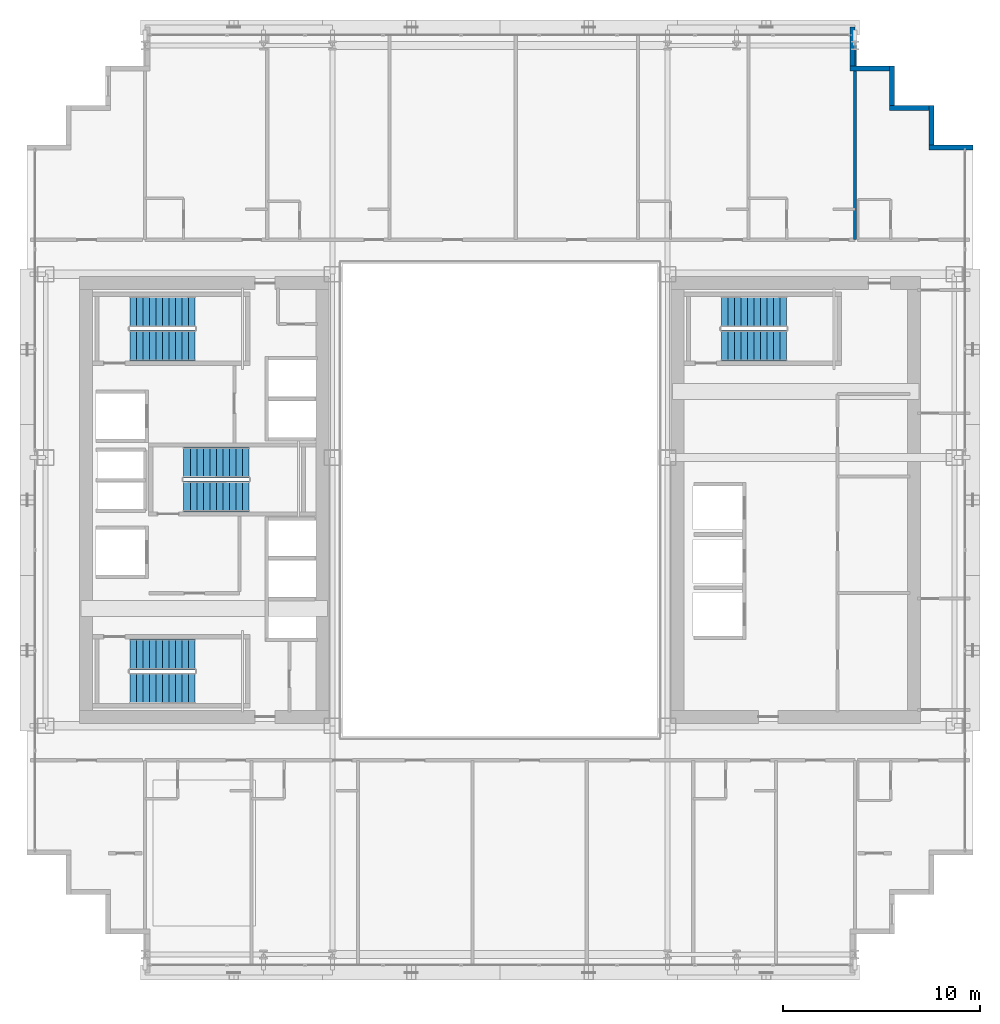
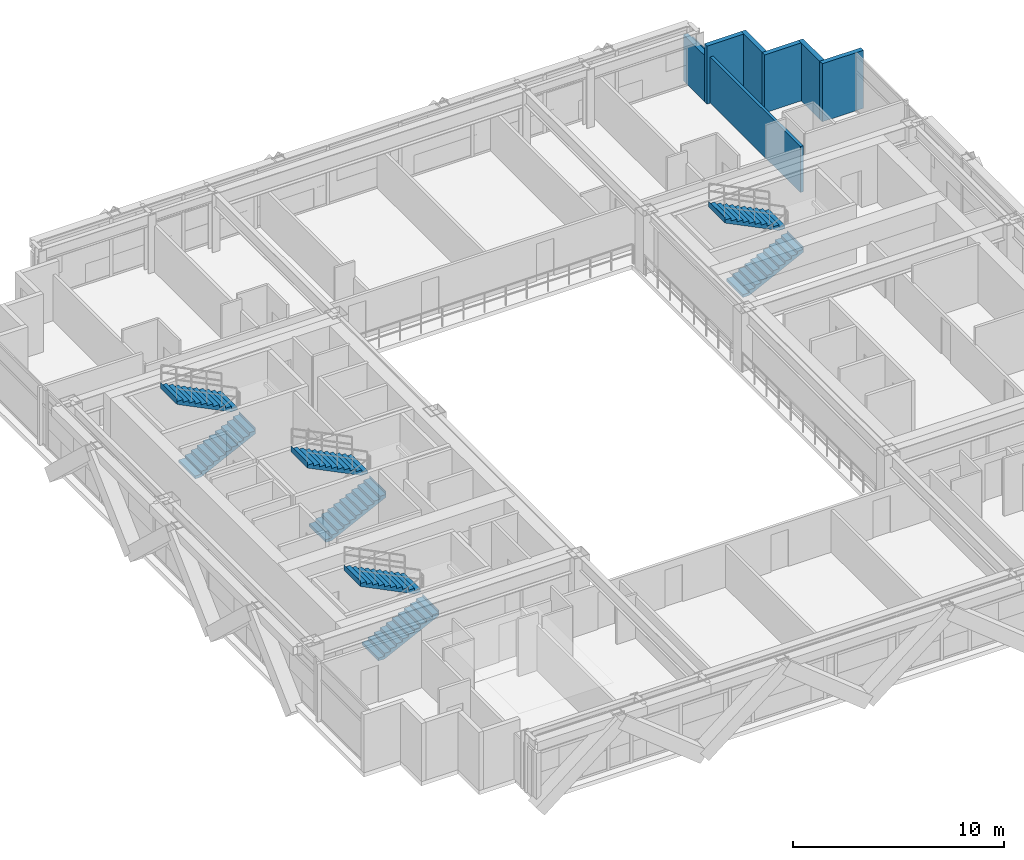
# One storey, part 31 of 35: 8 stair flights, 7 walls, 4 elements without a shape of their own.
"""IFC4 building model written with IfcOpenShell, lengths in metres."""

from ifc_helpers import new_model, si_unit, direction, frame, frame_2d, origin, place, context, subcontext, project, spatial, polyline, rectangle, outline, extrude, source, transform, mapped, material, layer, layer_set, type_object, element, aggregate, save


model = new_model("IFC4")

# Units and contexts
model_context = context("Model", 3, precision=1e-05, world=origin(), true_north=direction((0.0, 1.0)))
body_context = subcontext(model_context, "Body", "Model", "MODEL_VIEW")
ifc_project = project(units=[si_unit("LENGTHUNIT", "METRE"), si_unit("AREAUNIT", "SQUARE_METRE"), si_unit("VOLUMEUNIT", "CUBIC_METRE"), si_unit("PLANEANGLEUNIT", "RADIAN"), si_unit("MASSUNIT", "GRAM", prefix="KILO")], contexts=[model_context])

# Site, building, storey
site_placement = place(None, origin())
site = spatial("IfcSite", under=ifc_project, at=site_placement, CompositionType="ELEMENT")
building_placement = place(site_placement, origin())
building = spatial("IfcBuilding", under=site, at=building_placement, Name="Ocotamira Hotel", CompositionType="ELEMENT")
storey_placement = place(building_placement, frame((0.0, 0.0, 118.800048828125)))
storey = spatial("IfcBuildingStorey", under=building, at=storey_placement, Name="L29", CompositionType="ELEMENT", Elevation=118.800048828125)

# Walls
ifc_material_1 = material(Name="Precast concrete C45/55", Category="concrete")
ifc_layer_1 = layer(ifc_material_1, 0.25)
ifc_layer_set_1 = layer_set([ifc_layer_1], Name="Precast concrete C45/55")
wall_type_1 = type_object("IfcWallType", Name="WL-EXT-SER-250", PredefinedType="SOLIDWALL", material=ifc_layer_set_1)
wall_1_placement = place(storey_placement, frame((56.0, 43.875, 0.0), z_axis=(0.0, 0.0, 1.0), x_axis=(-1.0, 0.0, 0.0)))
element("IfcWall", 1, at=wall_1_placement, inside=storey, type_object=wall_type_1, Name="L29 Serrated Corner Wall 07", PredefinedType="SOLIDWALL", context=body_context, shape_type="SweptSolid", body=[
    extrude(rectangle(XDim=2.25, YDim=0.25, at=frame_2d((1.125, 0.0))), origin(), (0.0, 0.0, 1.0), 3.35986328125),
])
for number, where, z_axis, x_axis, name in (
    (2, (53.875, 44.0, 0.0), (0.0, 0.0, 1.0), (0.0, 1.0, 0.0), "L29 Serrated Corner Wall 08"),
    (3, (53.75, 45.875, 0.0), (0.0, 0.0, 1.0), (-1.0, 0.0, 0.0), "L29 Serrated Corner Wall 09"),
    (4, (51.875, 46.0, 0.0), (0.0, 0.0, 1.0), (0.0, 1.0, 0.0), "L29 Serrated Corner Wall 10"),
    (5, (51.75, 47.875, 0.0), (0.0, 0.0, 1.0), (-1.0, 0.0, 0.0), "L29 Serrated Corner Wall 11"),
):
    element("IfcWall", number, at=place(storey_placement, frame(where, z_axis=z_axis, x_axis=x_axis)), inside=storey, type_object=wall_type_1, Name=name, PredefinedType="SOLIDWALL", context=body_context, shape_type="SweptSolid", body=[
        extrude(rectangle(XDim=2.0, YDim=0.25, at=frame_2d((1.0, 0.0))), origin(), (0.0, 0.0, 1.0), 3.35986328125),
    ])
wall_2_placement = place(storey_placement, frame((49.875, 48.0, 0.0), z_axis=(0.0, 0.0, 1.0), x_axis=(0.0, 1.0, 0.0)))
element("IfcWall", 6, at=wall_2_placement, inside=storey, type_object=wall_type_1, Name="L29 Serrated Corner Wall 12", PredefinedType="SOLIDWALL", context=body_context, shape_type="SweptSolid", body=[
    extrude(rectangle(XDim=2.0, YDim=0.25, at=frame_2d((1.0, 0.0))), origin(), (0.0, 0.0, 1.0), 2.6669921875),
])
ifc_material_2 = material(Name="Acoustic double-stud hospitality gypsum partition", Category="gypsum")
ifc_layer_2 = layer(ifc_material_2, 0.159912109375)
ifc_layer_set_2 = layer_set([ifc_layer_2], Name="Acoustic double-stud hospitality gypsum partition")
wall_type_2 = type_object("IfcWallType", Name="WL-PART-160", PredefinedType="PARTITIONING", material=ifc_layer_set_2)
wall_3_placement = place(storey_placement, frame((50.0, 39.199951171875, 0.0), z_axis=(0.0, 0.0, 1.0), x_axis=(0.0, 1.0, 0.0)))
element("IfcWall", 7, at=wall_3_placement, inside=storey, type_object=wall_type_2, Name="L29 Interior Wall PW-L29-Z2CN-PWEND", PredefinedType="PARTITIONING", context=body_context, shape_type="SweptSolid", body=[
    extrude(rectangle(XDim=10.43994140625, YDim=0.159912109375, at=frame_2d((5.219970703125, 0.0))), origin(), (0.0, 0.0, 1.0), 2.6669921875),
])

# Stair, stair flights
ifc_material_3 = material(Name="Concrete C40/50", Category="concrete")
stair_type = type_object("IfcStairType", Name="ST-CORE-1560", PredefinedType="HALF_TURN_STAIR", material=ifc_material_3)
stair_1_placement = place(storey_placement, origin())
stair_1 = element("IfcStair", 8, at=stair_1_placement, inside=storey, type_object=stair_type, Name="L29 Exit Stair ST-1", PredefinedType="HALF_TURN_STAIR")
stair_flight_type = type_object("IfcStairFlightType", Name="STF-CORE-1560", PredefinedType="STRAIGHT", material=ifc_material_3)
shared_shape = source(origin(), body_context, "Body", "SweptSolid", [
    extrude(outline(polyline([(-0.00390625, 0.0), (-0.00390625, 0.16357421875), (0.330078125, 0.16357421875), (0.330078125, 0.327392578125), (0.659912109375, 0.327392578125), (0.659912109375, 0.490966796875), (0.989990234375, 0.490966796875), (0.989990234375, 0.654541015625), (1.320068359375, 0.654541015625), (1.320068359375, 0.818115234375), (1.64990234375, 0.818115234375), (1.64990234375, 0.98193359375), (1.97998046875, 0.98193359375), (1.97998046875, 1.1455078125), (2.31005859375, 1.1455078125), (2.31005859375, 1.30908203125), (2.639892578125, 1.30908203125), (2.639892578125, 1.47265625), (2.969970703125, 1.47265625), (2.969970703125, 1.636474609375), (3.300048828125, 1.636474609375), (3.300048828125, 1.800048828125), (3.303955078125, 1.800048828125), (3.303955078125, 1.468994140625), (0.33740234375, 0.0), (-0.00390625, 0.0)])), frame((0.0, 0.780029296875, 0.0), z_axis=(0.0, -1.0, 0.0), x_axis=(1.0, 0.0, 0.0)), (0.0, 0.0, 1.0), 1.56005859375),
])
stair_flight_1_placement = place(storey_placement, frame((13.22998046875, 16.449951171875, 0.0), z_axis=(0.0, 0.0, 1.0), x_axis=(1.0, 0.0, 0.0)))
stair_flight_1 = element("IfcStairFlight", 9, at=stair_flight_1_placement, type_object=stair_flight_type, Name="ST-1 flight 1", NumberOfRisers=11, NumberOfTreads=10, PredefinedType="STRAIGHT", RiserHeight=0.163636364, TreadLength=0.33, context=body_context, shape_type="MappedRepresentation", body=[
    mapped(shared_shape, transform((0.0, 0.0, 0.0), scale=1.0)),
])
stair_flight_2_placement = place(storey_placement, frame((16.530029296875, 18.169921875, 1.800048828125), z_axis=(0.0, 0.0, 1.0), x_axis=(-1.0, 0.0, 0.0)))
stair_flight_2 = element("IfcStairFlight", 10, at=stair_flight_2_placement, type_object=stair_flight_type, Name="ST-1 flight 2", NumberOfRisers=11, NumberOfTreads=10, PredefinedType="STRAIGHT", RiserHeight=0.163636364, TreadLength=0.33, context=body_context, shape_type="MappedRepresentation", body=[
    mapped(shared_shape, transform((0.0, 0.0, 0.0), scale=1.0)),
])
aggregate(stair_1, [stair_flight_1, stair_flight_2])

stair_2_placement = place(storey_placement, origin())
stair_2 = element("IfcStair", 11, at=stair_2_placement, inside=storey, type_object=stair_type, Name="L29 Exit Stair ST-2", PredefinedType="HALF_TURN_STAIR")
stair_flight_3_placement = place(storey_placement, frame((13.22998046875, 33.830078125, 0.0), z_axis=(0.0, 0.0, 1.0), x_axis=(1.0, 0.0, 0.0)))
stair_flight_3 = element("IfcStairFlight", 12, at=stair_flight_3_placement, type_object=stair_flight_type, Name="ST-2 flight 1", NumberOfRisers=11, NumberOfTreads=10, PredefinedType="STRAIGHT", RiserHeight=0.163636364, TreadLength=0.33, context=body_context, shape_type="MappedRepresentation", body=[
    mapped(shared_shape, transform((0.0, 0.0, 0.0), scale=1.0)),
])
stair_flight_4_placement = place(storey_placement, frame((16.530029296875, 35.550048828125, 1.800048828125), z_axis=(0.0, 0.0, 1.0), x_axis=(-1.0, 0.0, 0.0)))
stair_flight_4 = element("IfcStairFlight", 13, at=stair_flight_4_placement, type_object=stair_flight_type, Name="ST-2 flight 2", NumberOfRisers=11, NumberOfTreads=10, PredefinedType="STRAIGHT", RiserHeight=0.163636364, TreadLength=0.33, context=body_context, shape_type="MappedRepresentation", body=[
    mapped(shared_shape, transform((0.0, 0.0, 0.0), scale=1.0)),
])
aggregate(stair_2, [stair_flight_3, stair_flight_4])

stair_3_placement = place(storey_placement, origin())
stair_3 = element("IfcStair", 14, at=stair_3_placement, inside=storey, type_object=stair_type, Name="L29 Exit Stair ST-3", PredefinedType="HALF_TURN_STAIR")
stair_flight_5_placement = place(storey_placement, frame((15.9599609375, 26.179931640625, 0.0), z_axis=(0.0, 0.0, 1.0), x_axis=(1.0, 0.0, 0.0)))
stair_flight_5 = element("IfcStairFlight", 15, at=stair_flight_5_placement, type_object=stair_flight_type, Name="ST-3 flight 1", NumberOfRisers=11, NumberOfTreads=10, PredefinedType="STRAIGHT", RiserHeight=0.163636364, TreadLength=0.33, context=body_context, shape_type="MappedRepresentation", body=[
    mapped(shared_shape, transform((0.0, 0.0, 0.0), scale=1.0)),
])
stair_flight_6_placement = place(storey_placement, frame((19.260009765625, 27.89990234375, 1.800048828125), z_axis=(0.0, 0.0, 1.0), x_axis=(-1.0, 0.0, 0.0)))
stair_flight_6 = element("IfcStairFlight", 16, at=stair_flight_6_placement, type_object=stair_flight_type, Name="ST-3 flight 2", NumberOfRisers=11, NumberOfTreads=10, PredefinedType="STRAIGHT", RiserHeight=0.163636364, TreadLength=0.33, context=body_context, shape_type="MappedRepresentation", body=[
    mapped(shared_shape, transform((0.0, 0.0, 0.0), scale=1.0)),
])
aggregate(stair_3, [stair_flight_5, stair_flight_6])

stair_4_placement = place(storey_placement, origin())
stair_4 = element("IfcStair", 17, at=stair_4_placement, inside=storey, type_object=stair_type, Name="L29 Exit Stair ST-4", PredefinedType="HALF_TURN_STAIR")
stair_flight_7_placement = place(storey_placement, frame((43.22998046875, 33.830078125, 0.0), z_axis=(0.0, 0.0, 1.0), x_axis=(1.0, 0.0, 0.0)))
stair_flight_7 = element("IfcStairFlight", 18, at=stair_flight_7_placement, type_object=stair_flight_type, Name="ST-4 flight 1", NumberOfRisers=11, NumberOfTreads=10, PredefinedType="STRAIGHT", RiserHeight=0.163636364, TreadLength=0.33, context=body_context, shape_type="MappedRepresentation", body=[
    mapped(shared_shape, transform((0.0, 0.0, 0.0), scale=1.0)),
])
stair_flight_8_placement = place(storey_placement, frame((46.530029296875, 35.550048828125, 1.800048828125), z_axis=(0.0, 0.0, 1.0), x_axis=(-1.0, 0.0, 0.0)))
stair_flight_8 = element("IfcStairFlight", 19, at=stair_flight_8_placement, type_object=stair_flight_type, Name="ST-4 flight 2", NumberOfRisers=11, NumberOfTreads=10, PredefinedType="STRAIGHT", RiserHeight=0.163636364, TreadLength=0.33, context=body_context, shape_type="MappedRepresentation", body=[
    mapped(shared_shape, transform((0.0, 0.0, 0.0), scale=1.0)),
])
aggregate(stair_4, [stair_flight_7, stair_flight_8])

save(model, "model.ifc")
